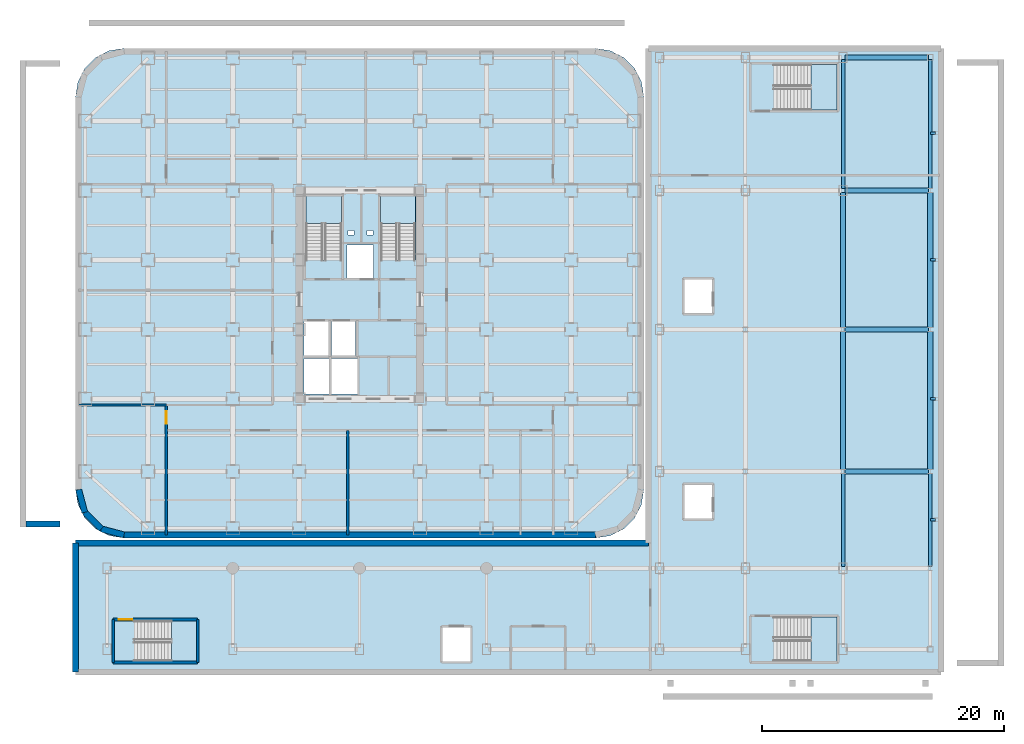
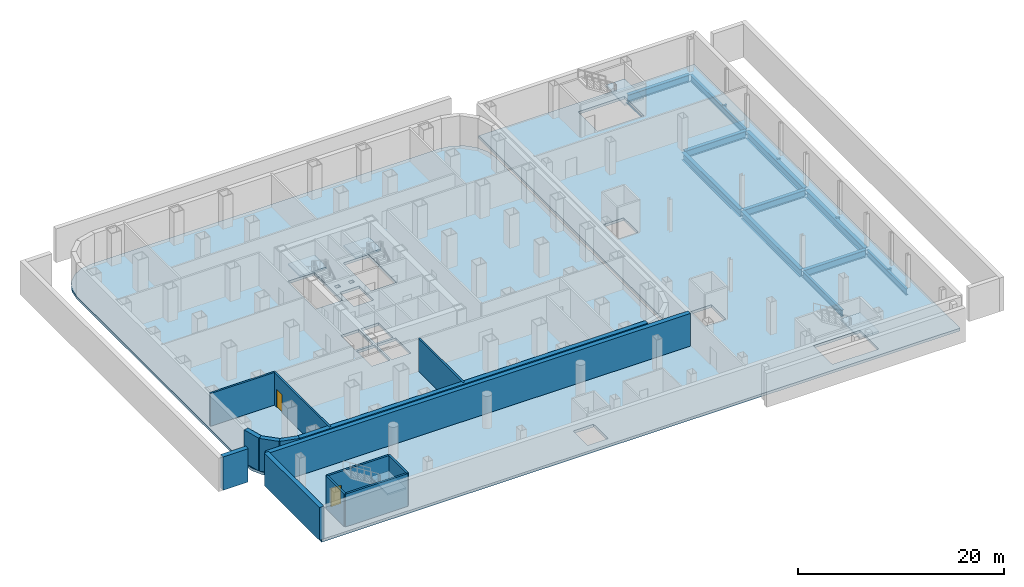
# One storey, part 7 of 16: 16 beams, 14 walls, 7 slabs, 2 doors, 2 openings, 5 elements without a shape of their own.
"""IFC4 building model written with IfcOpenShell, lengths in metres."""

from ifc_helpers import new_model, si_unit, direction, frame, frame_2d, origin, origin_2d, place, context, subcontext, project, spatial, polyline, rectangle, i_section, outline, extrude, source, transform, mapped, material, layer, layer_set, material_profile, profile_set, type_object, element, fill, aggregate, save


model = new_model("IFC4")

# Units and contexts
model_context = context("Model", 3, precision=1e-05, world=origin(), true_north=direction((0.0, 1.0)))
body_context = subcontext(model_context, "Body", "Model", "MODEL_VIEW")
ifc_project = project(units=[si_unit("LENGTHUNIT", "METRE"), si_unit("AREAUNIT", "SQUARE_METRE"), si_unit("VOLUMEUNIT", "CUBIC_METRE"), si_unit("PLANEANGLEUNIT", "RADIAN"), si_unit("MASSUNIT", "GRAM", prefix="KILO")], contexts=[model_context])

# Site, building, storey
site_placement = place(None, origin())
site = spatial("IfcSite", under=ifc_project, at=site_placement, CompositionType="ELEMENT")
building_placement = place(site_placement, origin())
building = spatial("IfcBuilding", under=site, at=building_placement, Name="Kolveth Station Tower", CompositionType="ELEMENT")
storey_placement = place(building_placement, frame((0.0, 0.0, -4.199951171875)))
storey = spatial("IfcBuildingStorey", under=building, at=storey_placement, Name="B1", CompositionType="ELEMENT", Elevation=-4.199951171875)

# Beams
ifc_material_1 = material(Name="Steel S355", Category="steel")
ifc_material_profile_1 = material_profile(ifc_material_1, i_section(OverallWidth=0.40087890625, OverallDepth=0.85107421875, WebThickness=0.01611328125, FlangeThickness=0.025390625, at=origin_2d()), Name="W840x226")
ifc_profile_set_1 = profile_set([ifc_material_profile_1], Name="Steel S355")
beam_type_1 = type_object("IfcBeamType", Name="Beam_B2", PredefinedType="BEAM", material=ifc_profile_set_1)
shared_shape_1 = source(origin(), body_context, "Body", "SweptSolid", [
    extrude(i_section(OverallWidth=0.40087890625, OverallDepth=0.85107421875, WebThickness=0.01611328125, FlangeThickness=0.025390625, at=origin_2d()), origin(), (0.0, 0.0, 1.0), 6.900146484375),
])
for number, where, z_axis, x_axis, name in (
    (1, (63.64990234375, 5.5, -0.74560546875), (1.0, 0.0, 0.0), (0.0, 1.0, 0.0), "B1 Station Portal Girder SBM-B1-EW-3-3"),
    (2, (63.64990234375, 17.25, -0.74560546875), (1.0, 0.0, 0.0), (0.0, 1.0, 0.0), "B1 Station Portal Girder SBM-B1-EW-4-3"),
    (3, (63.64990234375, 28.75, -0.74560546875), (1.0, 0.0, 0.0), (0.0, 1.0, 0.0), "B1 Station Portal Girder SBM-B1-EW-5-3"),
    (4, (63.64990234375, 39.75, -0.74560546875), (1.0, 0.0, 0.0), (0.0, 1.0, 0.0), "B1 Station Portal Girder SBM-B1-EW-6-3"),
):
    element("IfcBeam", number, at=place(storey_placement, frame(where, z_axis=z_axis, x_axis=x_axis)), inside=storey, type_object=beam_type_1, Name=name, PredefinedType="BEAM", context=body_context, shape_type="MappedRepresentation", body=[
        mapped(shared_shape_1, transform((0.0, 0.0, 0.0), x_axis=(1.0, 0.0, 0.0), y_axis=(0.0, 1.0, 0.0), z_axis=(0.0, 0.0, 1.0), scale=1.0)),
    ])
ifc_material_profile_2 = material_profile(ifc_material_1, i_section(OverallWidth=0.26708984375, OverallDepth=0.76611328125, WebThickness=0.014892578125, FlangeThickness=0.023681640625, at=origin_2d()), Name="W760x185")
ifc_profile_set_2 = profile_set([ifc_material_profile_2], Name="Steel S355")
beam_type_2 = type_object("IfcBeamType", Name="Beam_B3", PredefinedType="BEAM", material=ifc_profile_set_2)
shared_shape_2 = source(origin(), body_context, "Body", "SweptSolid", [
    extrude(i_section(OverallWidth=0.26708984375, OverallDepth=0.76611328125, WebThickness=0.014892578125, FlangeThickness=0.023681640625, at=origin_2d()), origin(), (0.0, 0.0, 1.0), 7.7001953125),
])
for number, where, z_axis, x_axis, name in (
    (5, (63.5, -2.35009765625, -0.703125), (0.0, 1.0, 0.0), (-1.0, 0.0, 0.0), "B1 Station Spine Girder SBM-B1-NS-3-2"),
    (6, (70.699951171875, -2.35009765625, -0.703125), (0.0, 1.0, 0.0), (-1.0, 0.0, 0.0), "B1 Station Spine Girder SBM-B1-NS-4-2"),
):
    element("IfcBeam", number, at=place(storey_placement, frame(where, z_axis=z_axis, x_axis=x_axis)), inside=storey, type_object=beam_type_2, Name=name, PredefinedType="BEAM", context=body_context, shape_type="MappedRepresentation", body=[
        mapped(shared_shape_2, transform((0.0, 0.0, 0.0), x_axis=(1.0, 0.0, 0.0), y_axis=(0.0, 1.0, 0.0), z_axis=(0.0, 0.0, 1.0), scale=1.0)),
    ])
ifc_material_profile_3 = material_profile(ifc_material_1, i_section(OverallWidth=0.41796875, OverallDepth=0.912109375, WebThickness=0.019287109375, FlangeThickness=0.031982421875, at=origin_2d()), Name="W920x342")
ifc_profile_set_3 = profile_set([ifc_material_profile_3], Name="Steel S355")
beam_type_3 = type_object("IfcBeamType", Name="Beam_B1", PredefinedType="BEAM", material=ifc_profile_set_3)
shared_shape_3 = source(origin(), body_context, "Body", "SweptSolid", [
    extrude(i_section(OverallWidth=0.41796875, OverallDepth=0.912109375, WebThickness=0.019287109375, FlangeThickness=0.031982421875, at=origin_2d()), origin(), (0.0, 0.0, 1.0), 11.4501953125),
])
for number, where, z_axis, x_axis, name in (
    (7, (63.5, 5.64990234375, -0.776123046875), (0.0, 1.0, 0.0), (-1.0, 0.0, 0.0), "B1 Station Spine Girder SBM-B1-NS-3-3"),
    (8, (70.699951171875, 5.64990234375, -0.776123046875), (0.0, 1.0, 0.0), (-1.0, 0.0, 0.0), "B1 Station Spine Girder SBM-B1-NS-4-3"),
):
    element("IfcBeam", number, at=place(storey_placement, frame(where, z_axis=z_axis, x_axis=x_axis)), inside=storey, type_object=beam_type_3, Name=name, PredefinedType="BEAM", context=body_context, shape_type="MappedRepresentation", body=[
        mapped(shared_shape_3, transform((0.0, 0.0, 0.0), x_axis=(1.0, 0.0, 0.0), y_axis=(0.0, 1.0, 0.0), z_axis=(0.0, 0.0, 1.0), scale=1.0)),
    ])
shared_shape_4 = source(origin(), body_context, "Body", "SweptSolid", [
    extrude(i_section(OverallWidth=0.41796875, OverallDepth=0.912109375, WebThickness=0.019287109375, FlangeThickness=0.031982421875, at=origin_2d()), origin(), (0.0, 0.0, 1.0), 11.2001953125),
])
for number, where, z_axis, x_axis, name in (
    (9, (63.5, 17.39990234375, -0.776123046875), (0.0, 1.0, 0.0), (-1.0, 0.0, 0.0), "B1 Station Spine Girder SBM-B1-NS-3-4"),
    (10, (70.699951171875, 17.39990234375, -0.776123046875), (0.0, 1.0, 0.0), (-1.0, 0.0, 0.0), "B1 Station Spine Girder SBM-B1-NS-4-4"),
):
    element("IfcBeam", number, at=place(storey_placement, frame(where, z_axis=z_axis, x_axis=x_axis)), inside=storey, type_object=beam_type_3, Name=name, PredefinedType="BEAM", context=body_context, shape_type="MappedRepresentation", body=[
        mapped(shared_shape_4, transform((0.0, 0.0, 0.0), x_axis=(1.0, 0.0, 0.0), y_axis=(0.0, 1.0, 0.0), z_axis=(0.0, 0.0, 1.0), scale=1.0)),
    ])
shared_shape_5 = source(origin(), body_context, "Body", "SweptSolid", [
    extrude(i_section(OverallWidth=0.26708984375, OverallDepth=0.76611328125, WebThickness=0.014892578125, FlangeThickness=0.023681640625, at=origin_2d()), origin(), (0.0, 0.0, 1.0), 10.7001953125),
])
for number, where, z_axis, x_axis, name in (
    (11, (63.5, 28.89990234375, -0.703125), (0.0, 1.0, 0.0), (-1.0, 0.0, 0.0), "B1 Station Spine Girder SBM-B1-NS-3-5"),
    (12, (70.699951171875, 28.89990234375, -0.703125), (0.0, 1.0, 0.0), (-1.0, 0.0, 0.0), "B1 Station Spine Girder SBM-B1-NS-4-5"),
):
    element("IfcBeam", number, at=place(storey_placement, frame(where, z_axis=z_axis, x_axis=x_axis)), inside=storey, type_object=beam_type_2, Name=name, PredefinedType="BEAM", context=body_context, shape_type="MappedRepresentation", body=[
        mapped(shared_shape_5, transform((0.0, 0.0, 0.0), x_axis=(1.0, 0.0, 0.0), y_axis=(0.0, 1.0, 0.0), z_axis=(0.0, 0.0, 1.0), scale=1.0)),
    ])
ifc_material_profile_4 = material_profile(ifc_material_1, i_section(OverallWidth=0.2099609375, OverallDepth=0.537109375, WebThickness=0.010986328125, FlangeThickness=0.017333984375, at=origin_2d()), Name="W530x101")
ifc_profile_set_4 = profile_set([ifc_material_profile_4], Name="Steel S355")
beam_type_4 = type_object("IfcBeamType", Name="Beam_B6", PredefinedType="BEAM", material=ifc_profile_set_4)
shared_shape_6 = source(origin(), body_context, "Body", "SweptSolid", [
    extrude(i_section(OverallWidth=0.2099609375, OverallDepth=0.537109375, WebThickness=0.010986328125, FlangeThickness=0.017333984375, at=origin_2d()), origin(), (0.0, 0.0, 1.0), 0.449951171875),
])
for number, where, z_axis, x_axis, name in (
    (13, (70.699951171875, 1.5, -0.588623046875), (1.0, 0.0, 0.0), (0.0, 1.0, 0.0), "B1 Pilaster Tie Beam SBM-B1-SPL-1"),
    (14, (70.699951171875, 11.5, -0.588623046875), (1.0, 0.0, 0.0), (0.0, 1.0, 0.0), "B1 Pilaster Tie Beam SBM-B1-SPL-2"),
    (15, (70.699951171875, 23.0, -0.588623046875), (1.0, 0.0, 0.0), (0.0, 1.0, 0.0), "B1 Pilaster Tie Beam SBM-B1-SPL-3"),
    (16, (70.699951171875, 33.5, -0.588623046875), (1.0, 0.0, 0.0), (0.0, 1.0, 0.0), "B1 Pilaster Tie Beam SBM-B1-SPL-4"),
):
    element("IfcBeam", number, at=place(storey_placement, frame(where, z_axis=z_axis, x_axis=x_axis)), inside=storey, type_object=beam_type_4, Name=name, PredefinedType="BEAM", context=body_context, shape_type="MappedRepresentation", body=[
        mapped(shared_shape_6, transform((0.0, 0.0, 0.0), x_axis=(1.0, 0.0, 0.0), y_axis=(0.0, 1.0, 0.0), z_axis=(0.0, 0.0, 1.0), scale=1.0)),
    ])

# Slabs
ifc_material_2 = material(Name="Concrete C50/60", Category="concrete")
ifc_layer_1 = layer(ifc_material_2, 0.320068359375)
ifc_layer_set_1 = layer_set([ifc_layer_1], Name="Concrete C50/60")
slab_type_1 = type_object("IfcSlabType", Name="Slab_SF-320", PredefinedType="FLOOR", material=ifc_layer_set_1)
slab_1_placement = place(storey_placement, frame((0.0, 0.0, -0.320068359375)))
element("IfcSlab", 17, at=slab_1_placement, inside=storey, type_object=slab_type_1, Name="B1 Tower Structural Floor Slab", PredefinedType="FLOOR", context=body_context, shape_type="SweptSolid", body=[
    extrude(outline(polyline([(43.0, 0.0), (44.236083984375, 0.19580078125), (45.35107421875, 0.763916015625), (46.236083984375, 1.64892578125), (46.80419921875, 2.763916015625), (47.0, 4.0), (47.0, 36.5), (46.80419921875, 37.736083984375), (46.236083984375, 38.85107421875), (45.35107421875, 39.736083984375), (44.236083984375, 40.30419921875), (43.0, 40.5), (4.0, 40.5), (2.763916015625, 40.30419921875), (1.64892578125, 39.736083984375), (0.763916015625, 38.85107421875), (0.19580078125, 37.736083984375), (0.0, 36.5), (0.0, 4.0), (0.19580078125, 2.763916015625), (0.763916015625, 1.64892578125), (1.64892578125, 0.763916015625), (2.763916015625, 0.19580078125), (4.0, 0.0), (43.0, 0.0)]), holes=[polyline([(19.0400390625, 22.985107421875), (22.0, 22.985107421875), (22.0, 28.39990234375), (19.0400390625, 28.39990234375), (19.0400390625, 22.985107421875)]), polyline([(25.239990234375, 22.985107421875), (28.10009765625, 22.985107421875), (28.10009765625, 28.39990234375), (25.239990234375, 28.39990234375), (25.239990234375, 22.985107421875)]), polyline([(18.89990234375, 15.10009765625), (20.89990234375, 15.10009765625), (20.89990234375, 17.89990234375), (18.89990234375, 17.89990234375), (18.89990234375, 15.10009765625)]), polyline([(21.14990234375, 15.10009765625), (23.14990234375, 15.10009765625), (23.14990234375, 17.89990234375), (21.14990234375, 17.89990234375), (21.14990234375, 15.10009765625)]), polyline([(22.449951171875, 21.5), (24.64990234375, 21.5), (24.64990234375, 24.25), (22.449951171875, 24.25), (22.449951171875, 21.5)]), polyline([(18.89990234375, 11.89990234375), (20.949951171875, 11.89990234375), (20.949951171875, 14.85009765625), (18.89990234375, 14.85009765625), (18.89990234375, 11.89990234375)]), polyline([(21.14990234375, 11.89990234375), (23.300048828125, 11.89990234375), (23.300048828125, 14.85009765625), (21.14990234375, 14.85009765625), (21.14990234375, 11.89990234375)]), polyline([(22.550048828125, 25.050048828125), (23.050048828125, 25.050048828125), (23.050048828125, 25.449951171875), (22.550048828125, 25.449951171875), (22.550048828125, 25.050048828125)]), polyline([(24.10009765625, 25.050048828125), (24.60009765625, 25.050048828125), (24.60009765625, 25.449951171875), (24.10009765625, 25.449951171875), (24.10009765625, 25.050048828125)])]), origin(), (0.0, 0.0, 1.0), 0.320068359375),
])
slab_2_placement = place(storey_placement, frame((0.0, 0.0, -0.320068359375)))
element("IfcSlab", 18, at=slab_2_placement, inside=storey, type_object=slab_type_1, Name="B1 Intermodal Station Floor Slab", PredefinedType="FLOOR", context=body_context, shape_type="SweptSolid", body=[
    extrude(outline(polyline([(0.0, -11.10009765625), (71.60009765625, -11.10009765625), (71.60009765625, 40.5), (47.39990234375, 40.5), (47.39990234375, -0.39990234375), (0.0, -0.39990234375), (0.0, -11.10009765625)]), holes=[polyline([(57.784912109375, 35.39990234375), (63.0, 35.39990234375), (63.0, 39.159912109375), (57.784912109375, 39.159912109375), (57.784912109375, 35.39990234375)]), polyline([(57.784912109375, -10.199951171875), (63.0, -10.199951171875), (63.0, -6.5400390625), (57.784912109375, -6.5400390625), (57.784912109375, -10.199951171875)]), polyline([(4.885009765625, -10.199951171875), (10.0, -10.199951171875), (10.0, -6.840087890625), (4.885009765625, -6.840087890625), (4.885009765625, -10.199951171875)]), polyline([(50.35009765625, 1.60009765625), (52.64990234375, 1.60009765625), (52.64990234375, 4.39990234375), (50.35009765625, 4.39990234375), (50.35009765625, 1.60009765625)]), polyline([(50.35009765625, 18.60009765625), (52.64990234375, 18.60009765625), (52.64990234375, 21.39990234375), (50.35009765625, 21.39990234375), (50.35009765625, 18.60009765625)]), polyline([(30.35009765625, -10.199951171875), (32.64990234375, -10.199951171875), (32.64990234375, -7.39990234375), (30.35009765625, -7.39990234375), (30.35009765625, -10.199951171875)])]), origin(), (0.0, 0.0, 1.0), 0.320068359375),
])

# Stair, slab
ifc_material_3 = material(Name="Concrete C40/50", Category="concrete")
stair_type_1 = type_object("IfcStairType", Name="Stair_ST2", PredefinedType="HALF_TURN_STAIR", material=ifc_material_3)
stair_1_placement = place(storey_placement, origin())
stair_1 = element("IfcStair", 19, at=stair_1_placement, inside=storey, type_object=stair_type_1, Name="B1 Tower Exit Stair ST2", PredefinedType="HALF_TURN_STAIR")
ifc_layer_2 = layer(ifc_material_3, 0.18994140625)
ifc_layer_set_2 = layer_set([ifc_layer_2], Name="Concrete C40/50")
slab_type_2 = type_object("IfcSlabType", Name="Slab_SL-190", PredefinedType="LANDING", material=ifc_layer_set_2)
slab_3_placement = place(storey_placement, frame((0.0, 0.0, 1.89990234375)))
slab_3 = element("IfcSlab", 20, at=slab_3_placement, type_object=slab_type_2, Name="ST2 landing 1", PredefinedType="LANDING", context=body_context, shape_type="SweptSolid", body=[
    extrude(outline(polyline([(28.10009765625, 26.030029296875), (28.10009765625, 28.39990234375), (25.239990234375, 28.39990234375), (25.239990234375, 26.030029296875), (28.10009765625, 26.030029296875)])), origin(), (0.0, 0.0, 1.0), 0.199951171875),
])
aggregate(stair_1, [slab_3])

stair_type_2 = type_object("IfcStairType", Name="Stair_ST5", PredefinedType="HALF_TURN_STAIR", material=ifc_material_3)
stair_2_placement = place(storey_placement, origin())
stair_2 = element("IfcStair", 21, at=stair_2_placement, inside=storey, type_object=stair_type_2, Name="B1 Station West Concourse Stair ST5", PredefinedType="HALF_TURN_STAIR")
slab_4_placement = place(storey_placement, frame((0.0, 0.0, 1.89990234375)))
slab_4 = element("IfcSlab", 22, at=slab_4_placement, type_object=slab_type_2, Name="ST5 landing 1", PredefinedType="LANDING", context=body_context, shape_type="SweptSolid", body=[
    extrude(outline(polyline([(7.929931640625, -10.199951171875), (10.0, -10.199951171875), (10.0, -6.840087890625), (7.929931640625, -6.840087890625), (7.929931640625, -10.199951171875)])), origin(), (0.0, 0.0, 1.0), 0.199951171875),
])
aggregate(stair_2, [slab_4])

stair_type_3 = type_object("IfcStairType", Name="Stair_ST1", PredefinedType="HALF_TURN_STAIR", material=ifc_material_3)
stair_3_placement = place(storey_placement, origin())
stair_3 = element("IfcStair", 23, at=stair_3_placement, inside=storey, type_object=stair_type_3, Name="B1 Tower Exit Stair ST1", PredefinedType="HALF_TURN_STAIR")
ifc_layer_3 = layer(ifc_material_3, 0.205078125)
ifc_layer_set_3 = layer_set([ifc_layer_3], Name="Concrete C40/50")
slab_type_3 = type_object("IfcSlabType", Name="Slab_SL-205", PredefinedType="LANDING", material=ifc_layer_set_3)
slab_5_placement = place(storey_placement, frame((0.0, 0.0, 1.89990234375)))
slab_5 = element("IfcSlab", 24, at=slab_5_placement, type_object=slab_type_3, Name="ST1 landing 1", PredefinedType="LANDING", context=body_context, shape_type="SweptSolid", body=[
    extrude(outline(polyline([(22.0, 26.030029296875), (22.0, 28.39990234375), (19.0400390625, 28.39990234375), (19.0400390625, 26.030029296875), (22.0, 26.030029296875)])), origin(), (0.0, 0.0, 1.0), 0.199951171875),
])
aggregate(stair_3, [slab_5])

stair_type_4 = type_object("IfcStairType", Name="Stair_ST3", PredefinedType="HALF_TURN_STAIR", material=ifc_material_3)
stair_4_placement = place(storey_placement, origin())
stair_4 = element("IfcStair", 25, at=stair_4_placement, inside=storey, type_object=stair_type_4, Name="B1 Station North Exit Stair ST3", PredefinedType="HALF_TURN_STAIR")
slab_6_placement = place(storey_placement, frame((0.0, 0.0, 1.89990234375)))
slab_6 = element("IfcSlab", 26, at=slab_6_placement, type_object=slab_type_3, Name="ST3 landing 1", PredefinedType="LANDING", context=body_context, shape_type="SweptSolid", body=[
    extrude(outline(polyline([(60.830078125, 35.39990234375), (63.0, 35.39990234375), (63.0, 39.159912109375), (60.830078125, 39.159912109375), (60.830078125, 35.39990234375)])), origin(), (0.0, 0.0, 1.0), 0.199951171875),
])
aggregate(stair_4, [slab_6])

stair_type_5 = type_object("IfcStairType", Name="Stair_ST4", PredefinedType="HALF_TURN_STAIR", material=ifc_material_3)
stair_5_placement = place(storey_placement, origin())
stair_5 = element("IfcStair", 27, at=stair_5_placement, inside=storey, type_object=stair_type_5, Name="B1 Station South-East Exit Stair ST4", PredefinedType="HALF_TURN_STAIR")
slab_7_placement = place(storey_placement, frame((0.0, 0.0, 1.89990234375)))
slab_7 = element("IfcSlab", 28, at=slab_7_placement, type_object=slab_type_3, Name="ST4 landing 1", PredefinedType="LANDING", context=body_context, shape_type="SweptSolid", body=[
    extrude(outline(polyline([(60.830078125, -10.199951171875), (63.0, -10.199951171875), (63.0, -6.5400390625), (60.830078125, -6.5400390625), (60.830078125, -10.199951171875)])), origin(), (0.0, 0.0, 1.0), 0.199951171875),
])
aggregate(stair_5, [slab_7])

# Wall, opening, door
ifc_material_4 = material(Name="Acoustic fire-rated gypsum blockwork", Category="masonry")
ifc_layer_4 = layer(ifc_material_4, 0.199951171875)
ifc_layer_set_4 = layer_set([ifc_layer_4], Name="Acoustic fire-rated gypsum blockwork")
wall_type_1 = type_object("IfcWallType", Name="Wall_IW-200", PredefinedType="PARTITIONING", material=ifc_layer_set_4)
wall_1_placement = place(storey_placement, frame((7.5, 0.25, 0.0), z_axis=(0.0, 0.0, 1.0), x_axis=(0.0, 1.0, 0.0)))
wall_1 = element("IfcWall", 29, at=wall_1_placement, inside=storey, type_object=wall_type_1, Name="B1 Partition Wall WL-B1-BWS", PredefinedType="PARTITIONING", context=body_context, shape_type="SweptSolid", body=[
    extrude(rectangle(XDim=10.75, YDim=0.199951171875, at=frame_2d((5.375, 0.0))), origin(), (0.0, 0.0, 1.0), 3.8798828125),
])
opening_1_placement = place(wall_1_placement, frame((9.199951171875, 0.0, 0.0)))
opening_1 = element("IfcOpeningElement", 30, at=opening_1_placement, cuts=wall_1, Name="Opening FD2", PredefinedType="OPENING", context=body_context, shape_type="SweptSolid", body=[
    extrude(rectangle(XDim=1.050048828125, YDim=2.14990234375, at=frame_2d((0.52490234375, 1.074951171875))), frame((0.0, 0.10986328125, 0.0), z_axis=(0.0, -1.0, 0.0), x_axis=(1.0, 0.0, 0.0)), (0.0, 0.0, 1.0), 0.219970703125),
])
ifc_material_5 = material(Name="Fire-rated Steel S355 leaf and frame", Category="steel")
door_type_1 = type_object("IfcDoorType", Name="Door_FD2", OperationType="NOTDEFINED", PredefinedType="DOOR", material=ifc_material_5)
door_1_placement = place(opening_1_placement, frame((1.050048828125, 0.0, 0.0), z_axis=(0.0, 0.0, 1.0), x_axis=(-1.0, 0.0, 0.0)))
door_1 = element("IfcDoor", 31, at=door_1_placement, inside=storey, type_object=door_type_1, Name="B1 Auxiliary MEP Plant Room CSW Door", OperationType="SINGLE_SWING_LEFT", OverallHeight=2.14990234375, OverallWidth=1.050048828125, PredefinedType="DOOR", context=body_context, shape_type="SweptSolid", body=[
    extrude(rectangle(XDim=1.050048828125, YDim=2.14990234375, at=frame_2d((0.52490234375, 1.074951171875))), frame((0.0, 0.02490234375, 0.0), z_axis=(0.0, -1.0, 0.0), x_axis=(1.0, 0.0, 0.0)), (0.0, 0.0, 1.0), 0.050048828125),
])
fill(opening_1, door_1)

# Walls
wall_2_placement = place(storey_placement, frame((0.25, 11.0, 0.0), z_axis=(0.0, 0.0, 1.0), x_axis=(1.0, 0.0, 0.0)))
element("IfcWall", 32, at=wall_2_placement, inside=storey, type_object=wall_type_1, Name="B1 Partition Wall WL-B1-BWM1", PredefinedType="PARTITIONING", context=body_context, shape_type="SweptSolid", body=[
    extrude(rectangle(XDim=7.25, YDim=0.199951171875, at=frame_2d((3.625, 0.0))), origin(), (0.0, 0.0, 1.0), 3.8798828125),
])
wall_3_placement = place(storey_placement, frame((22.5, 0.25, 0.0), z_axis=(0.0, 0.0, 1.0), x_axis=(0.0, 1.0, 0.0)))
element("IfcWall", 33, at=wall_3_placement, inside=storey, type_object=wall_type_1, Name="B1 Partition Wall WL-B1-TBS-P1", PredefinedType="PARTITIONING", context=body_context, shape_type="SweptSolid", body=[
    extrude(rectangle(XDim=8.64990234375, YDim=0.199951171875, at=frame_2d((4.324951171875, 0.0))), origin(), (0.0, 0.0, 1.0), 3.8798828125),
])
ifc_layer_5 = layer(ifc_material_3, 0.219970703125)
ifc_layer_set_5 = layer_set([ifc_layer_5], Name="Concrete C40/50")
wall_type_2 = type_object("IfcWallType", Name="Wall_IW-220", PredefinedType="SOLIDWALL", material=ifc_layer_set_5)
wall_4_placement = place(storey_placement, frame((3.10009765625, -10.300048828125, 0.0), z_axis=(0.0, 0.0, 1.0), x_axis=(1.0, 0.0, 0.0)))
element("IfcWall", 34, at=wall_4_placement, inside=storey, type_object=wall_type_2, Name="B1 Stair Shaft Wall WL-B1-ST5-S", PredefinedType="SOLIDWALL", context=body_context, shape_type="SweptSolid", body=[
    extrude(rectangle(XDim=7.0, YDim=0.219970703125, at=frame_2d((3.5, 0.0))), origin(), (0.0, 0.0, 1.0), 3.8798828125),
])

# Wall, opening, door
wall_5_placement = place(storey_placement, frame((3.10009765625, -6.739990234375, 0.0), z_axis=(0.0, 0.0, 1.0), x_axis=(1.0, 0.0, 0.0)))
wall_5 = element("IfcWall", 35, at=wall_5_placement, inside=storey, type_object=wall_type_2, Name="B1 Stair Shaft Wall WL-B1-ST5-N", PredefinedType="SOLIDWALL", context=body_context, shape_type="SweptSolid", body=[
    extrude(rectangle(XDim=7.0, YDim=0.219970703125, at=frame_2d((3.5, 0.0))), origin(), (0.0, 0.0, 1.0), 3.8798828125),
])
opening_2_placement = place(wall_5_placement, frame((0.449951171875, 0.0, 0.0)))
opening_2 = element("IfcOpeningElement", 36, at=opening_2_placement, cuts=wall_5, Name="Opening FD1", PredefinedType="OPENING", context=body_context, shape_type="SweptSolid", body=[
    extrude(rectangle(XDim=1.14990234375, YDim=2.199951171875, at=frame_2d((0.574951171875, 1.10009765625))), frame((0.0, 0.119873046875, 0.0), z_axis=(0.0, -1.0, 0.0), x_axis=(1.0, 0.0, 0.0)), (0.0, 0.0, 1.0), 0.239990234375),
])
door_type_2 = type_object("IfcDoorType", Name="Door_FD1", OperationType="NOTDEFINED", PredefinedType="DOOR", material=ifc_material_5)
door_2_placement = place(opening_2_placement, origin())
door_2 = element("IfcDoor", 37, at=door_2_placement, inside=storey, type_object=door_type_2, Name="B1 Station Stair ST5 Door", OperationType="SINGLE_SWING_RIGHT", OverallHeight=2.199951171875, OverallWidth=1.14990234375, PredefinedType="DOOR", context=body_context, shape_type="SweptSolid", body=[
    extrude(rectangle(XDim=1.14990234375, YDim=2.199951171875, at=frame_2d((0.574951171875, 1.10009765625))), frame((0.0, 0.02490234375, 0.0), z_axis=(0.0, -1.0, 0.0), x_axis=(1.0, 0.0, 0.0)), (0.0, 0.0, 1.0), 0.050048828125),
])
fill(opening_2, door_2)

# Walls
for number, where, z_axis, x_axis, name in (
    (38, (3.10009765625, -10.300048828125, 0.0), (0.0, 0.0, 1.0), (0.0, 1.0, 0.0), "B1 Stair Shaft Wall WL-B1-ST5-W"),
    (39, (10.10009765625, -10.300048828125, 0.0), (0.0, 0.0, 1.0), (0.0, 1.0, 0.0), "B1 Stair Shaft Wall WL-B1-ST5-E"),
):
    element("IfcWall", number, at=place(storey_placement, frame(where, z_axis=z_axis, x_axis=x_axis)), inside=storey, type_object=wall_type_2, Name=name, PredefinedType="SOLIDWALL", context=body_context, shape_type="SweptSolid", body=[
        extrude(rectangle(XDim=3.56005859375, YDim=0.219970703125, at=frame_2d((1.780029296875, 0.0))), origin(), (0.0, 0.0, 1.0), 3.8798828125),
    ])
ifc_layer_6 = layer(ifc_material_2, 0.5)
ifc_layer_set_6 = layer_set([ifc_layer_6], Name="Concrete C50/60")
wall_type_3 = type_object("IfcWallType", Name="Wall_RW-500", PredefinedType="USERDEFINED", material=ifc_layer_set_6)
for number, where, z_axis, x_axis, name in (
    (40, (0.25, 4.0, 0.0), (0.0, 0.0, 1.0), (0.258836670666, -0.965921103361, 0.0), "B1 Tower Basement Retaining Wall 13"),
    (41, (0.75244140625, 2.125, 0.0), (0.0, 0.0, 1.0), (0.707106781187, -0.707106781187, 0.0), "B1 Tower Basement Retaining Wall 14"),
    (42, (2.125, 0.75244140625, 0.0), (0.0, 0.0, 1.0), (0.965921103361, -0.258836670666, 0.0), "B1 Tower Basement Retaining Wall 15"),
):
    element("IfcWall", number, at=place(storey_placement, frame(where, z_axis=z_axis, x_axis=x_axis)), inside=storey, type_object=wall_type_3, Name=name, ObjectType="RETAININGWALL", PredefinedType="USERDEFINED", context=body_context, shape_type="SweptSolid", body=[
        extrude(rectangle(XDim=1.941162109375, YDim=0.5, at=frame_2d((0.970703125, 0.0))), origin(), (0.0, 0.0, 1.0), 3.8798828125),
    ])
wall_6_placement = place(storey_placement, frame((4.0, 0.25, 0.0), z_axis=(0.0, 0.0, 1.0), x_axis=(1.0, 0.0, 0.0)))
element("IfcWall", 43, at=wall_6_placement, inside=storey, type_object=wall_type_3, Name="B1 Tower Basement Retaining Wall 16", ObjectType="RETAININGWALL", PredefinedType="USERDEFINED", context=body_context, shape_type="SweptSolid", body=[
    extrude(rectangle(XDim=39.0, YDim=0.5, at=frame_2d((19.5, 0.0))), origin(), (0.0, 0.0, 1.0), 3.8798828125),
])
wall_7_placement = place(storey_placement, frame((47.39990234375, -0.39990234375, 0.0), z_axis=(0.0, 0.0, 1.0), x_axis=(-1.0, 0.0, 0.0)))
element("IfcWall", 44, at=wall_7_placement, inside=storey, type_object=wall_type_3, Name="B1 Station Basement Retaining Wall 5", ObjectType="RETAININGWALL", PredefinedType="USERDEFINED", context=body_context, shape_type="SweptSolid", body=[
    extrude(rectangle(XDim=47.39990234375, YDim=0.5, at=frame_2d((23.699951171875, 0.0))), origin(), (0.0, 0.0, 1.0), 3.8798828125),
])
wall_8_placement = place(storey_placement, frame((0.0, -0.39990234375, 0.0), z_axis=(0.0, 0.0, 1.0), x_axis=(0.0, -1.0, 0.0)))
element("IfcWall", 45, at=wall_8_placement, inside=storey, type_object=wall_type_3, Name="B1 Station Basement Retaining Wall 6", ObjectType="RETAININGWALL", PredefinedType="USERDEFINED", context=body_context, shape_type="SweptSolid", body=[
    extrude(rectangle(XDim=10.7001953125, YDim=0.5, at=frame_2d((5.35009765625, 0.0))), origin(), (0.0, 0.0, 1.0), 3.8798828125),
])
wall_9_placement = place(storey_placement, frame((-4.10009765625, 1.14990234375, 0.0), z_axis=(0.0, 0.0, 1.0), x_axis=(1.0, 0.0, 0.0)))
element("IfcWall", 46, at=wall_9_placement, inside=storey, type_object=wall_type_3, Name="B1 Forecourt Retaining Wall 2", ObjectType="RETAININGWALL", PredefinedType="USERDEFINED", context=body_context, shape_type="SweptSolid", body=[
    extrude(rectangle(XDim=2.800048828125, YDim=0.5, at=frame_2d((1.39990234375, 0.0))), origin(), (0.0, 0.0, 1.0), 3.9599609375),
])

save(model, "model.ifc")
